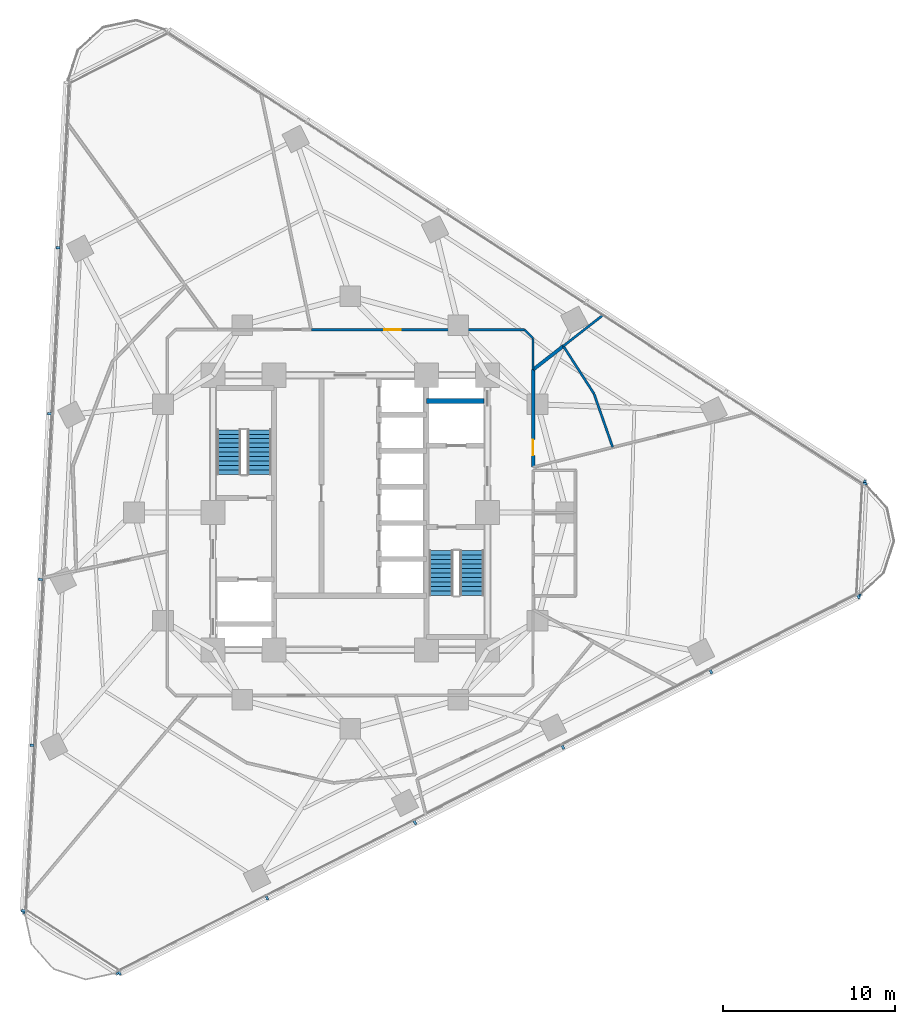
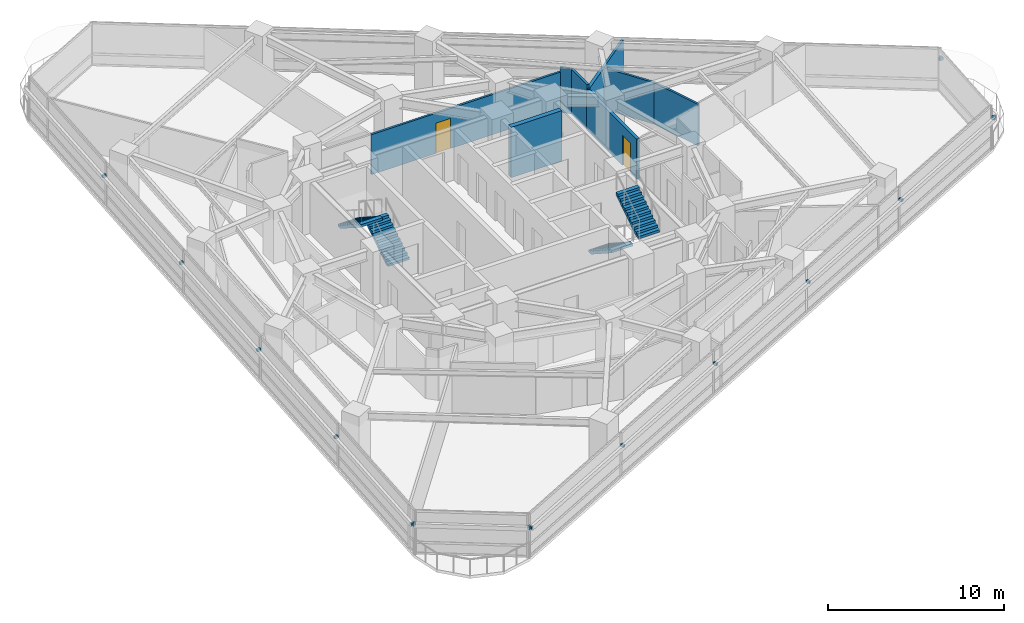
# One storey, part 10 of 14: 16 discrete accessories, 9 walls, 4 stair flights, 2 doors, 2 openings, 2 elements without a shape of their own.
"""IFC4 building model written with IfcOpenShell, lengths in metres."""

from ifc_helpers import new_model, si_unit, direction, frame, frame_2d, origin, origin_2d, place, context, subcontext, project, spatial, polyline, rectangle, outline, extrude, material, layer, layer_set, type_object, element, fill, aggregate, save


model = new_model("IFC4")

# Units and contexts
model_context = context("Model", 3, precision=1e-05, world=origin(), true_north=direction((0.0, 1.0)))
body_context = subcontext(model_context, "Body", "Model", "MODEL_VIEW")
ifc_project = project(units=[si_unit("LENGTHUNIT", "METRE"), si_unit("AREAUNIT", "SQUARE_METRE"), si_unit("VOLUMEUNIT", "CUBIC_METRE"), si_unit("PLANEANGLEUNIT", "RADIAN"), si_unit("MASSUNIT", "GRAM", prefix="KILO")], contexts=[model_context])

# Site, building, storey
site_placement = place(None, origin())
site = spatial("IfcSite", under=ifc_project, at=site_placement, CompositionType="ELEMENT")
building_placement = place(site_placement, origin())
building = spatial("IfcBuilding", under=site, at=building_placement, Name="Terralouvre Media Tower", CompositionType="ELEMENT")
storey_placement = place(building_placement, frame((0.0, 0.0, 119.89990234375)))
storey = spatial("IfcBuildingStorey", under=building, at=storey_placement, Name="L30", CompositionType="ELEMENT", Elevation=119.89990234375)

# Wall
ifc_material_1 = material(Name="Concrete C50/60", Category="concrete")
ifc_layer_1 = layer(ifc_material_1, 0.300048828125, Name="Core Internal Shaft Wall CW-300")
ifc_layer_set_1 = layer_set([ifc_layer_1], Name="Concrete C50/60")
wall_type_1 = type_object("IfcWallType", Name="Core Internal Shaft Wall CW-300", PredefinedType="SHEAR", material=ifc_layer_set_1)
wall_1_placement = place(storey_placement, frame((4.449951171875, 6.5, 0.0), z_axis=(0.0, 0.0, 1.0), x_axis=(1.0, 0.0, 0.0)))
element("IfcWall", 1, at=wall_1_placement, inside=storey, type_object=wall_type_1, Name="L30 Core Shaft Wall FF2N", PredefinedType="SHEAR", context=body_context, shape_type="SweptSolid", body=[
    extrude(rectangle(XDim=3.340087890625, YDim=0.300048828125, at=frame_2d((1.669921875, 0.0))), origin(), (0.0, 0.0, 1.0), 3.5),
])

# Wall, opening, door
ifc_material_2 = material(Name="Fire-rated gypsum board drywall partition")
ifc_layer_2 = layer(ifc_material_2, 0.199951171875, Name="Fire-Rated Shaft and Lobby Partition FW-200")
ifc_layer_set_2 = layer_set([ifc_layer_2], Name="Fire-rated gypsum board drywall partition")
wall_type_2 = type_object("IfcWallType", Name="Fire-Rated Shaft and Lobby Partition FW-200", PredefinedType="SOLIDWALL", material=ifc_layer_set_2)
wall_2_placement = place(storey_placement, frame((10.64990234375, 2.655029296875, 0.0), z_axis=(0.0, 0.0, 1.0), x_axis=(0.0, 1.0, 0.0)))
wall_2 = element("IfcWall", 2, at=wall_2_placement, inside=storey, type_object=wall_type_2, Name="L30 Interior Partition 012", PredefinedType="SOLIDWALL", context=body_context, shape_type="SweptSolid", body=[
    extrude(rectangle(XDim=5.666015625, YDim=0.199951171875, at=frame_2d((2.8330078125, 0.0))), origin(), (0.0, 0.0, 1.0), 2.78515625),
])
opening_1_placement = place(wall_2_placement, frame((0.673095703125, 0.0, 0.0)))
opening_1 = element("IfcOpeningElement", 3, at=opening_1_placement, cuts=wall_2, Name="Opening FD-05-92X210", PredefinedType="OPENING", context=body_context, shape_type="SweptSolid", body=[
    extrude(rectangle(XDim=0.919921875, YDim=2.10009765625, at=frame_2d((0.4599609375, 1.050048828125))), frame((0.0, 0.10986328125, 0.0), z_axis=(0.0, -1.0, 0.0), x_axis=(1.0, 0.0, 0.0)), (0.0, 0.0, 1.0), 0.219970703125),
])
ifc_material_3 = material(Name="Galvanised steel fire-resisting leaf", Category="steel")
door_type_1 = type_object("IfcDoorType", Name="Core Accessible Closet Fire Door FD-05 (920x2100)", OperationType="NOTDEFINED", PredefinedType="DOOR", material=ifc_material_3)
door_1_placement = place(opening_1_placement, origin())
door_1 = element("IfcDoor", 4, at=door_1_placement, inside=storey, type_object=door_type_1, Name="L30 Broadcast Replay Server Room 8 Door", OperationType="SINGLE_SWING_LEFT", OverallHeight=2.10009765625, OverallWidth=0.919921875, PredefinedType="DOOR", context=body_context, shape_type="SweptSolid", body=[
    extrude(rectangle(XDim=0.919921875, YDim=2.10009765625, at=frame_2d((0.4599609375, 1.050048828125))), frame((0.0, 0.02490234375, 0.0), z_axis=(0.0, -1.0, 0.0), x_axis=(1.0, 0.0, 0.0)), (0.0, 0.0, 1.0), 0.050048828125),
])
fill(opening_1, door_1)

# Walls
wall_3_placement = place(storey_placement, frame((12.416015625, 9.700927734375, 0.0), z_axis=(0.0, 0.0, 1.0), x_axis=(-0.788001252745, -0.615673635681, 0.0)))
element("IfcWall", 5, at=wall_3_placement, inside=storey, type_object=wall_type_2, Name="L30 Interior Partition 045", PredefinedType="SOLIDWALL", context=body_context, shape_type="SweptSolid", body=[
    extrude(rectangle(XDim=2.2412109375, YDim=0.199951171875, at=frame_2d((1.12060546875, 0.0))), origin(), (0.0, 0.0, 1.0), 2.885009765625),
])
ifc_material_4 = material(Name="Fire-rated gypsum board drywall partition")
ifc_layer_3 = layer(ifc_material_4, 0.135009765625, Name="Newsroom Acoustic Partition PT-135")
ifc_layer_set_3 = layer_set([ifc_layer_3], Name="Fire-rated gypsum board drywall partition")
wall_type_3 = type_object("IfcWallType", Name="Newsroom Acoustic Partition PT-135", PredefinedType="PARTITIONING", material=ifc_layer_set_3)
wall_4_placement = place(storey_placement, frame((10.64990234375, 8.321044921875, 0.0), z_axis=(0.0, 0.0, 1.0), x_axis=(0.0, 1.0, 0.0)))
element("IfcWall", 6, at=wall_4_placement, inside=storey, type_object=wall_type_3, Name="L30 Interior Partition 013", PredefinedType="PARTITIONING", context=body_context, shape_type="SweptSolid", body=[
    extrude(rectangle(XDim=1.828857421875, YDim=0.135009765625, at=frame_2d((0.91455078125, 0.0))), origin(), (0.0, 0.0, 1.0), 3.125),
])
wall_5_placement = place(storey_placement, frame((10.64990234375, 10.14990234375, 0.0), z_axis=(0.0, 0.0, 1.0), x_axis=(-0.707106781187, 0.707106781187, 0.0)))
element("IfcWall", 7, at=wall_5_placement, inside=storey, type_object=wall_type_3, Name="L30 Interior Partition 014", PredefinedType="PARTITIONING", context=body_context, shape_type="SweptSolid", body=[
    extrude(rectangle(XDim=0.70703125, YDim=0.135009765625, at=frame_2d((0.353515625, 0.0))), origin(), (0.0, 0.0, 1.0), 3.125),
])

# Wall, opening, door
wall_6_placement = place(storey_placement, frame((10.14990234375, 10.64990234375, 0.0), z_axis=(0.0, 0.0, 1.0), x_axis=(-1.0, 0.0, 0.0)))
wall_6 = element("IfcWall", 8, at=wall_6_placement, inside=storey, type_object=wall_type_3, Name="L30 Interior Partition 015", PredefinedType="PARTITIONING", context=body_context, shape_type="SweptSolid", body=[
    extrude(rectangle(XDim=12.413818359375, YDim=0.135009765625, at=frame_2d((6.20703125, 0.0))), origin(), (0.0, 0.0, 1.0), 2.78515625),
])
opening_2_placement = place(wall_6_placement, frame((7.2216796875, 0.0, 0.0)))
opening_2 = element("IfcOpeningElement", 9, at=opening_2_placement, cuts=wall_6, Name="Opening ID-02-95X210", PredefinedType="OPENING", context=body_context, shape_type="SweptSolid", body=[
    extrude(rectangle(XDim=0.949951171875, YDim=2.10009765625, at=frame_2d((0.47509765625, 1.050048828125))), frame((0.0, 0.077392578125, 0.0), z_axis=(0.0, -1.0, 0.0), x_axis=(1.0, 0.0, 0.0)), (0.0, 0.0, 1.0), 0.155029296875),
])
ifc_material_5 = material(Name="Engineered hardwood acoustic timber leaf", Category="wood")
door_type_2 = type_object("IfcDoorType", Name="Office and Meeting Room Door ID-02 (950x2100)", OperationType="NOTDEFINED", PredefinedType="DOOR", material=ifc_material_5)
door_2_placement = place(opening_2_placement, origin())
door_2 = element("IfcDoor", 10, at=door_2_placement, inside=storey, type_object=door_type_2, Name="L30 Green-Room Hospitality Lounge 9 Door", OperationType="SINGLE_SWING_RIGHT", OverallHeight=2.10009765625, OverallWidth=0.949951171875, PredefinedType="DOOR", context=body_context, shape_type="SweptSolid", body=[
    extrude(rectangle(XDim=0.949951171875, YDim=2.10009765625, at=frame_2d((0.47509765625, 1.050048828125))), frame((0.0, 0.02490234375, 0.0), z_axis=(0.0, -1.0, 0.0), x_axis=(1.0, 0.0, 0.0)), (0.0, 0.0, 1.0), 0.050048828125),
])
fill(opening_2, door_2)

# Walls
wall_7_placement = place(storey_placement, frame((12.416015625, 9.700927734375, 0.0), z_axis=(0.0, 0.0, 1.0), x_axis=(0.540981963117, -0.841034194062, 0.0)))
element("IfcWall", 11, at=wall_7_placement, inside=storey, type_object=wall_type_3, Name="L30 Interior Partition 042", PredefinedType="PARTITIONING", context=body_context, shape_type="SweptSolid", body=[
    extrude(rectangle(XDim=3.29931640625, YDim=0.135009765625, at=frame_2d((1.649658203125, 0.0))), origin(), (0.0, 0.0, 1.0), 2.885009765625),
])
wall_8_placement = place(storey_placement, frame((14.200927734375, 6.926025390625, 0.0), z_axis=(0.0, 0.0, 1.0), x_axis=(0.329872352593, -0.944025545732, 0.0)))
element("IfcWall", 12, at=wall_8_placement, inside=storey, type_object=wall_type_3, Name="L30 Interior Partition 043", PredefinedType="PARTITIONING", context=body_context, shape_type="SweptSolid", body=[
    extrude(rectangle(XDim=3.298583984375, YDim=0.135009765625, at=frame_2d((1.6494140625, 0.0))), origin(), (0.0, 0.0, 1.0), 2.885009765625),
])
wall_9_placement = place(storey_placement, frame((14.744384765625, 11.52001953125, 0.0), z_axis=(0.0, 0.0, 1.0), x_axis=(-0.788015604839, -0.615655265981, 0.0)))
element("IfcWall", 13, at=wall_9_placement, inside=storey, type_object=wall_type_3, Name="L30 Interior Partition 044", PredefinedType="PARTITIONING", context=body_context, shape_type="SweptSolid", body=[
    extrude(rectangle(XDim=2.954833984375, YDim=0.135009765625, at=frame_2d((1.4775390625, 0.0))), origin(), (0.0, 0.0, 1.0), 2.885009765625),
])

# Stair, stair flights
ifc_material_6 = material(Name="Concrete C45/55", Category="concrete")
stair_type_1 = type_object("IfcStairType", Name="Dogleg Stair Assembly ST-01", PredefinedType="HALF_TURN_STAIR", material=ifc_material_6)
stair_1_placement = place(storey_placement, origin())
stair_1 = element("IfcStair", 14, at=stair_1_placement, inside=storey, type_object=stair_type_1, Name="L30 Core Pressurised Exit Stair ST-01", PredefinedType="HALF_TURN_STAIR")
ifc_material_7 = material(Name="Concrete C45/55", Category="concrete")
stair_flight_type = type_object("IfcStairFlightType", Name="Reinforced Concrete Stair Flight SF-RC1", PredefinedType="STRAIGHT", material=ifc_material_7)
stair_flight_1_placement = place(storey_placement, frame((-5.300048828125, 2.219970703125, 0.0), z_axis=(0.0, 0.0, 1.0), x_axis=(0.0, 1.0, 0.0)))
stair_flight_1 = element("IfcStairFlight", 15, at=stair_flight_1_placement, type_object=stair_flight_type, Name="ST-01 flight 1", NumberOfRisers=11, NumberOfTreads=10, PredefinedType="STRAIGHT", RiserHeight=0.168181818, TreadLength=0.26, context=body_context, shape_type="SweptSolid", body=[
    extrude(outline(polyline([(0.0, 0.0), (0.0, 0.168212890625), (0.260009765625, 0.168212890625), (0.260009765625, 0.33642578125), (0.52001953125, 0.33642578125), (0.52001953125, 0.504638671875), (0.780029296875, 0.504638671875), (0.780029296875, 0.672607421875), (1.0400390625, 0.672607421875), (1.0400390625, 0.8408203125), (1.300048828125, 0.8408203125), (1.300048828125, 1.009033203125), (1.56005859375, 1.009033203125), (1.56005859375, 1.17724609375), (1.820068359375, 1.17724609375), (1.820068359375, 1.345458984375), (2.080078125, 1.345458984375), (2.080078125, 1.513671875), (2.340087890625, 1.513671875), (2.340087890625, 1.681884765625), (2.60009765625, 1.681884765625), (2.60009765625, 1.85009765625), (2.60009765625, 1.503173828125), (0.27587890625, 0.0), (0.0, 0.0)])), frame((0.0, 0.699951171875, 0.0), z_axis=(0.0, -1.0, 0.0), x_axis=(1.0, 0.0, 0.0)), (0.0, 0.0, 1.0), 1.39990234375),
])
stair_flight_2_placement = place(storey_placement, frame((-7.080078125, 4.820068359375, 1.85009765625), z_axis=(0.0, 0.0, 1.0), x_axis=(0.0, -1.0, 0.0)))
stair_flight_2 = element("IfcStairFlight", 16, at=stair_flight_2_placement, type_object=stair_flight_type, Name="ST-01 flight 2", NumberOfRisers=11, NumberOfTreads=10, PredefinedType="STRAIGHT", RiserHeight=0.168181818, TreadLength=0.26, context=body_context, shape_type="SweptSolid", body=[
    extrude(outline(polyline([(0.0, 0.0), (0.0, 0.168212890625), (0.260009765625, 0.168212890625), (0.260009765625, 0.33642578125), (0.52001953125, 0.33642578125), (0.52001953125, 0.504638671875), (0.780029296875, 0.504638671875), (0.780029296875, 0.672607421875), (1.0400390625, 0.672607421875), (1.0400390625, 0.8408203125), (1.300048828125, 0.8408203125), (1.300048828125, 1.009033203125), (1.56005859375, 1.009033203125), (1.56005859375, 1.17724609375), (1.820068359375, 1.17724609375), (1.820068359375, 1.345458984375), (2.080078125, 1.345458984375), (2.080078125, 1.513671875), (2.340087890625, 1.513671875), (2.340087890625, 1.681884765625), (2.60009765625, 1.681884765625), (2.60009765625, 1.85009765625), (2.60009765625, 1.503173828125), (0.27587890625, 0.0), (0.0, 0.0)])), frame((0.0, 0.699951171875, 0.0), z_axis=(0.0, -1.0, 0.0), x_axis=(1.0, 0.0, 0.0)), (0.0, 0.0, 1.0), 1.39990234375),
])
aggregate(stair_1, [stair_flight_1, stair_flight_2])

ifc_material_8 = material(Name="Concrete C45/55", Category="concrete")
stair_type_2 = type_object("IfcStairType", Name="Dogleg Stair Assembly ST-02", PredefinedType="HALF_TURN_STAIR", material=ifc_material_8)
stair_2_placement = place(storey_placement, origin())
stair_2 = element("IfcStair", 17, at=stair_2_placement, inside=storey, type_object=stair_type_2, Name="L30 Core Pressurised Exit Stair ST-02", PredefinedType="HALF_TURN_STAIR")
stair_flight_3_placement = place(storey_placement, frame((5.300048828125, -2.219970703125, 0.0), z_axis=(0.0, 0.0, 1.0), x_axis=(0.0, -1.0, 0.0)))
stair_flight_3 = element("IfcStairFlight", 18, at=stair_flight_3_placement, type_object=stair_flight_type, Name="ST-02 flight 1", NumberOfRisers=11, NumberOfTreads=10, PredefinedType="STRAIGHT", RiserHeight=0.168181818, TreadLength=0.26, context=body_context, shape_type="SweptSolid", body=[
    extrude(outline(polyline([(0.0, 0.0), (0.0, 0.168212890625), (0.260009765625, 0.168212890625), (0.260009765625, 0.33642578125), (0.52001953125, 0.33642578125), (0.52001953125, 0.504638671875), (0.780029296875, 0.504638671875), (0.780029296875, 0.672607421875), (1.0400390625, 0.672607421875), (1.0400390625, 0.8408203125), (1.300048828125, 0.8408203125), (1.300048828125, 1.009033203125), (1.56005859375, 1.009033203125), (1.56005859375, 1.17724609375), (1.820068359375, 1.17724609375), (1.820068359375, 1.345458984375), (2.080078125, 1.345458984375), (2.080078125, 1.513671875), (2.340087890625, 1.513671875), (2.340087890625, 1.681884765625), (2.60009765625, 1.681884765625), (2.60009765625, 1.85009765625), (2.60009765625, 1.503173828125), (0.27587890625, 0.0), (0.0, 0.0)])), frame((0.0, 0.699951171875, 0.0), z_axis=(0.0, -1.0, 0.0), x_axis=(1.0, 0.0, 0.0)), (0.0, 0.0, 1.0), 1.39990234375),
])
stair_flight_4_placement = place(storey_placement, frame((7.080078125, -4.820068359375, 1.85009765625), z_axis=(0.0, 0.0, 1.0), x_axis=(0.0, 1.0, 0.0)))
stair_flight_4 = element("IfcStairFlight", 19, at=stair_flight_4_placement, type_object=stair_flight_type, Name="ST-02 flight 2", NumberOfRisers=11, NumberOfTreads=10, PredefinedType="STRAIGHT", RiserHeight=0.168181818, TreadLength=0.26, context=body_context, shape_type="SweptSolid", body=[
    extrude(outline(polyline([(0.0, 0.0), (0.0, 0.168212890625), (0.260009765625, 0.168212890625), (0.260009765625, 0.33642578125), (0.52001953125, 0.33642578125), (0.52001953125, 0.504638671875), (0.780029296875, 0.504638671875), (0.780029296875, 0.672607421875), (1.0400390625, 0.672607421875), (1.0400390625, 0.8408203125), (1.300048828125, 0.8408203125), (1.300048828125, 1.009033203125), (1.56005859375, 1.009033203125), (1.56005859375, 1.17724609375), (1.820068359375, 1.17724609375), (1.820068359375, 1.345458984375), (2.080078125, 1.345458984375), (2.080078125, 1.513671875), (2.340087890625, 1.513671875), (2.340087890625, 1.681884765625), (2.60009765625, 1.681884765625), (2.60009765625, 1.85009765625), (2.60009765625, 1.503173828125), (0.27587890625, 0.0), (0.0, 0.0)])), frame((0.0, 0.699951171875, 0.0), z_axis=(0.0, -1.0, 0.0), x_axis=(1.0, 0.0, 0.0)), (0.0, 0.0, 1.0), 1.39990234375),
])
aggregate(stair_2, [stair_flight_3, stair_flight_4])

# Discrete accessories
ifc_material_9 = material(Name="Anodised extruded aluminium 6063-T6", Category="aluminium")
discrete_accessory_type = type_object("IfcDiscreteAccessoryType", Name="Mullion Stand-Off Baguette Fixing Bracket BK-01", PredefinedType="BRACKET", material=ifc_material_9)
for number, where, z_axis, x_axis, name in (
    (20, (-13.442626953125, -26.840087890625, 2.07421875), (0.0, 0.0, 1.0), (0.891006501178, 0.4539905449, 0.0), "CW-L30-F0 Baguette Outrigger Bracket 1.01"),
    (21, (-4.85107421875, -22.46240234375, 2.07421875), (0.0, 0.0, 1.0), (0.891006501178, 0.4539905449, 0.0), "CW-L30-F0 Baguette Outrigger Bracket 1.02"),
    (22, (3.77392578125, -18.06787109375, 2.07421875), (0.0, 0.0, 1.0), (0.891006501178, 0.4539905449, 0.0), "CW-L30-F0 Baguette Outrigger Bracket 1.03"),
    (23, (12.39892578125, -13.673095703125, 2.07421875), (0.0, 0.0, 1.0), (0.891006501178, 0.4539905449, 0.0), "CW-L30-F0 Baguette Outrigger Bracket 1.04"),
    (24, (21.02392578125, -9.278564453125, 2.07421875), (0.0, 0.0, 1.0), (0.891006501178, 0.4539905449, 0.0), "CW-L30-F0 Baguette Outrigger Bracket 1.05"),
    (25, (29.615478515625, -4.90087890625, 2.07421875), (0.0, 0.0, 1.0), (0.891006501178, 0.4539905449, 0.0), "CW-L30-F0 Baguette Outrigger Bracket 1.06"),
    (26, (29.96533203125, 1.778564453125, 2.07421875), (0.0, 0.0, 1.0), (-0.838670588944, 0.544639002681, 0.0), "CW-L30-F1 Baguette Outrigger Bracket 1.01"),
    (27, (-17.027587890625, 15.432373046875, 2.07421875), (0.0, 0.0, 1.0), (-0.052335949864, -0.998629535089, 0.0), "CW-L30-F2 Baguette Outrigger Bracket 1.02"),
    (28, (-17.5341796875, 5.765625, 2.07421875), (0.0, 0.0, 1.0), (-0.052335949864, -0.998629535089, 0.0), "CW-L30-F2 Baguette Outrigger Bracket 1.03"),
    (29, (-18.040771484375, -3.901123046875, 2.07421875), (0.0, 0.0, 1.0), (-0.052335949864, -0.998629535089, 0.0), "CW-L30-F2 Baguette Outrigger Bracket 1.04"),
    (30, (-18.54736328125, -13.56787109375, 2.07421875), (0.0, 0.0, 1.0), (-0.052335949864, -0.998629535089, 0.0), "CW-L30-F2 Baguette Outrigger Bracket 1.05"),
    (31, (-19.052001953125, -23.197265625, 2.07421875), (0.0, 0.0, 1.0), (-0.052335949864, -0.998629535089, 0.0), "CW-L30-F2 Baguette Outrigger Bracket 1.06"),
    (32, (-18.993408203125, -23.27392578125, 2.07421875), (0.0, 0.0, 1.0), (0.838670390568, -0.544639308152, 0.0), "CW-L30-C0 Baguette Outrigger Bracket 1.01"),
    (33, (-13.536376953125, -26.81787109375, 2.07421875), (0.0, 0.0, 1.0), (0.838670390568, -0.544639308152, 0.0), "CW-L30-C0 Baguette Outrigger Bracket 1.02"),
    (34, (29.652587890625, -4.81201171875, 2.07421875), (0.0, 0.0, 1.0), (0.052336823006, 0.998629489329, 0.0), "CW-L30-C1 Baguette Outrigger Bracket 1.01"),
    (35, (29.9931640625, 1.68603515625, 2.07421875), (0.0, 0.0, 1.0), (0.052336823006, 0.998629489329, 0.0), "CW-L30-C1 Baguette Outrigger Bracket 1.02"),
):
    element("IfcDiscreteAccessory", number, at=place(storey_placement, frame(where, z_axis=z_axis, x_axis=x_axis)), inside=storey, type_object=discrete_accessory_type, Name=name, PredefinedType="BRACKET", context=body_context, shape_type="SweptSolid", body=[
        extrude(rectangle(XDim=0.139892578125, YDim=0.239990234375, at=origin_2d()), origin(), (0.0, 0.0, 1.0), 0.179931640625),
    ])

save(model, "model.ifc")
